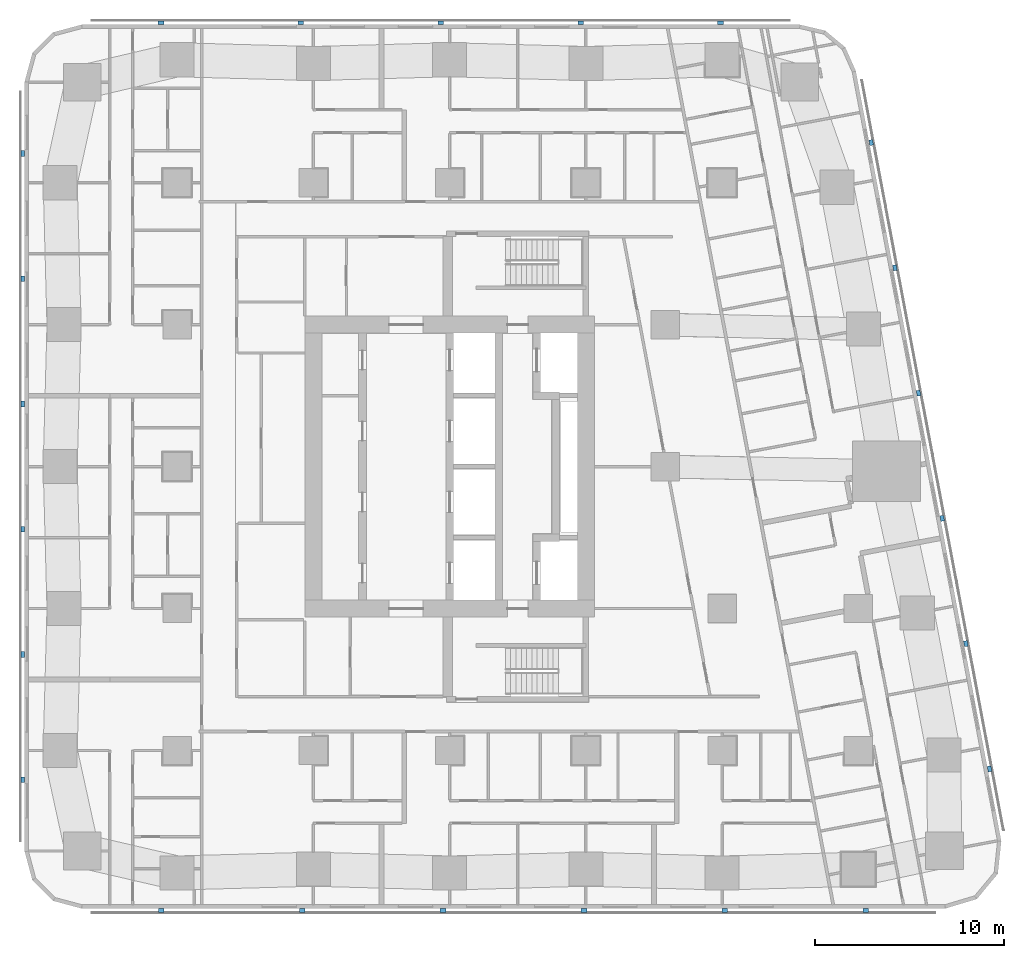
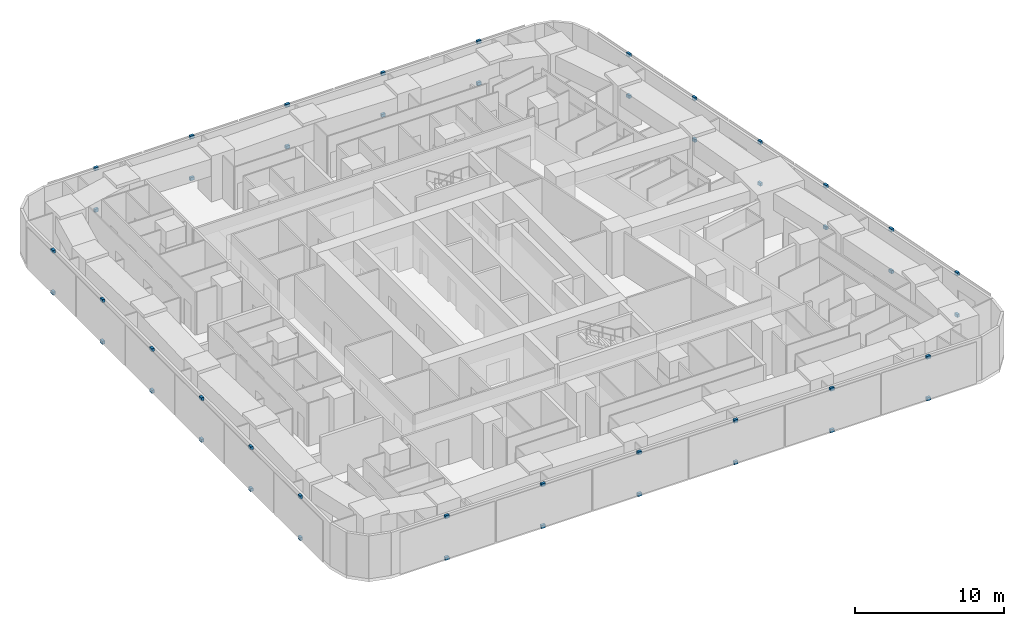
# One storey, part 12 of 15: 46 discrete accessories.
"""IFC4 building model written with IfcOpenShell, lengths in metres."""

from ifc_helpers import new_model, si_unit, direction, frame, origin, origin_2d, place, context, subcontext, project, spatial, rectangle, extrude, material, type_object, element, save


model = new_model("IFC4")

# Units and contexts
model_context = context("Model", 3, precision=1e-05, world=origin(), true_north=direction((0.0, 1.0)))
body_context = subcontext(model_context, "Body", "Model", "MODEL_VIEW")
ifc_project = project(units=[si_unit("LENGTHUNIT", "METRE"), si_unit("AREAUNIT", "SQUARE_METRE"), si_unit("VOLUMEUNIT", "CUBIC_METRE"), si_unit("PLANEANGLEUNIT", "RADIAN"), si_unit("MASSUNIT", "GRAM", prefix="KILO")], contexts=[model_context])

# Site, building, storey
site_placement = place(None, origin())
site = spatial("IfcSite", under=ifc_project, at=site_placement, CompositionType="ELEMENT")
building_placement = place(site_placement, origin())
building = spatial("IfcBuilding", under=site, at=building_placement, Name="Sheger Commons Tower", CompositionType="ELEMENT")
storey_placement = place(building_placement, frame((0.0, 0.0, 165.800048828125)))
storey = spatial("IfcBuildingStorey", under=building, at=storey_placement, Name="L42", CompositionType="ELEMENT", Elevation=165.800048828125)

# Discrete accessories
ifc_material = material(Name="Black painted steel bracket", Category="steel")
discrete_accessory_type = type_object("IfcDiscreteAccessoryType", Name="SCREEN BRACKET 300x200x250", PredefinedType="BRACKET", material=ifc_material)
for number, where, z_axis, x_axis, name in (
    (1, (6.37109375, -0.949951171875, -0.10009765625), (0.0, 0.0, 1.0), (1.0, 0.0, 0.0), "Solar screen foot bracket"),
    (2, (6.37109375, -0.949951171875, 3.300048828125), (0.0, 0.0, 1.0), (1.0, 0.0, 0.0), "Solar screen head bracket"),
    (3, (13.81396484375, -0.949951171875, -0.10009765625), (0.0, 0.0, 1.0), (1.0, 0.0, 0.0), "Solar screen foot bracket"),
    (4, (13.81396484375, -0.949951171875, 3.300048828125), (0.0, 0.0, 1.0), (1.0, 0.0, 0.0), "Solar screen head bracket"),
    (5, (21.257080078125, -0.949951171875, -0.10009765625), (0.0, 0.0, 1.0), (1.0, 0.0, 0.0), "Solar screen foot bracket"),
    (6, (21.257080078125, -0.949951171875, 3.300048828125), (0.0, 0.0, 1.0), (1.0, 0.0, 0.0), "Solar screen head bracket"),
    (7, (28.698974609375, -0.949951171875, -0.10009765625), (0.0, 0.0, 1.0), (1.0, 0.0, 0.0), "Solar screen foot bracket"),
    (8, (28.698974609375, -0.949951171875, 3.300048828125), (0.0, 0.0, 1.0), (1.0, 0.0, 0.0), "Solar screen head bracket"),
    (9, (36.14208984375, -0.949951171875, -0.10009765625), (0.0, 0.0, 1.0), (1.0, 0.0, 0.0), "Solar screen foot bracket"),
    (10, (36.14208984375, -0.949951171875, 3.300048828125), (0.0, 0.0, 1.0), (1.0, 0.0, 0.0), "Solar screen head bracket"),
    (11, (43.5849609375, -0.949951171875, -0.10009765625), (0.0, 0.0, 1.0), (1.0, 0.0, 0.0), "Solar screen foot bracket"),
    (12, (43.5849609375, -0.949951171875, 3.300048828125), (0.0, 0.0, 1.0), (1.0, 0.0, 0.0), "Solar screen head bracket"),
    (13, (50.134033203125, 6.527099609375, -0.10009765625), (0.0, 0.0, 1.0), (-0.185615165645, 0.982622516678, 0.0), "Solar screen foot bracket"),
    (14, (50.134033203125, 6.527099609375, 3.300048828125), (0.0, 0.0, 1.0), (-0.185615165645, 0.982622516678, 0.0), "Solar screen head bracket"),
    (15, (48.884033203125, 13.14599609375, -0.10009765625), (0.0, 0.0, 1.0), (-0.185615165645, 0.982622516678, 0.0), "Solar screen foot bracket"),
    (16, (48.884033203125, 13.14599609375, 3.300048828125), (0.0, 0.0, 1.0), (-0.185615165645, 0.982622516678, 0.0), "Solar screen head bracket"),
    (17, (47.633056640625, 19.76611328125, -0.10009765625), (0.0, 0.0, 1.0), (-0.185615165645, 0.982622516678, 0.0), "Solar screen foot bracket"),
    (18, (47.633056640625, 19.76611328125, 3.300048828125), (0.0, 0.0, 1.0), (-0.185615165645, 0.982622516678, 0.0), "Solar screen head bracket"),
    (19, (46.383056640625, 26.385009765625, -0.10009765625), (0.0, 0.0, 1.0), (-0.185615165645, 0.982622516678, 0.0), "Solar screen foot bracket"),
    (20, (46.383056640625, 26.385009765625, 3.300048828125), (0.0, 0.0, 1.0), (-0.185615165645, 0.982622516678, 0.0), "Solar screen head bracket"),
    (21, (45.133056640625, 33.0048828125, -0.10009765625), (0.0, 0.0, 1.0), (-0.185615165645, 0.982622516678, 0.0), "Solar screen foot bracket"),
    (22, (45.133056640625, 33.0048828125, 3.300048828125), (0.0, 0.0, 1.0), (-0.185615165645, 0.982622516678, 0.0), "Solar screen head bracket"),
    (23, (43.882080078125, 39.6240234375, -0.10009765625), (0.0, 0.0, 1.0), (-0.185615165645, 0.982622516678, 0.0), "Solar screen foot bracket"),
    (24, (43.882080078125, 39.6240234375, 3.300048828125), (0.0, 0.0, 1.0), (-0.185615165645, 0.982622516678, 0.0), "Solar screen head bracket"),
    (25, (35.9208984375, 45.949951171875, -0.10009765625), (0.0, 0.0, 1.0), (-1.0, 0.0, 0.0), "Solar screen foot bracket"),
    (26, (35.9208984375, 45.949951171875, 3.300048828125), (0.0, 0.0, 1.0), (-1.0, 0.0, 0.0), "Solar screen head bracket"),
    (27, (28.528076171875, 45.949951171875, -0.10009765625), (0.0, 0.0, 1.0), (-1.0, 0.0, 0.0), "Solar screen foot bracket"),
    (28, (28.528076171875, 45.949951171875, 3.300048828125), (0.0, 0.0, 1.0), (-1.0, 0.0, 0.0), "Solar screen head bracket"),
    (29, (21.134033203125, 45.949951171875, -0.10009765625), (0.0, 0.0, 1.0), (-1.0, 0.0, 0.0), "Solar screen foot bracket"),
    (30, (21.134033203125, 45.949951171875, 3.300048828125), (0.0, 0.0, 1.0), (-1.0, 0.0, 0.0), "Solar screen head bracket"),
    (31, (13.739990234375, 45.949951171875, -0.10009765625), (0.0, 0.0, 1.0), (-1.0, 0.0, 0.0), "Solar screen foot bracket"),
    (32, (13.739990234375, 45.949951171875, 3.300048828125), (0.0, 0.0, 1.0), (-1.0, 0.0, 0.0), "Solar screen head bracket"),
    (33, (6.346923828125, 45.949951171875, -0.10009765625), (0.0, 0.0, 1.0), (-1.0, 0.0, 0.0), "Solar screen foot bracket"),
    (34, (6.346923828125, 45.949951171875, 3.300048828125), (0.0, 0.0, 1.0), (-1.0, 0.0, 0.0), "Solar screen head bracket"),
    (35, (-0.949951171875, 39.0419921875, -0.10009765625), (0.0, 0.0, 1.0), (0.0, -1.0, 0.0), "Solar screen foot bracket"),
    (36, (-0.949951171875, 39.0419921875, 3.300048828125), (0.0, 0.0, 1.0), (0.0, -1.0, 0.0), "Solar screen head bracket"),
    (37, (-0.949951171875, 32.425048828125, -0.10009765625), (0.0, 0.0, 1.0), (0.0, -1.0, 0.0), "Solar screen foot bracket"),
    (38, (-0.949951171875, 32.425048828125, 3.300048828125), (0.0, 0.0, 1.0), (0.0, -1.0, 0.0), "Solar screen head bracket"),
    (39, (-0.949951171875, 25.80810546875, -0.10009765625), (0.0, 0.0, 1.0), (0.0, -1.0, 0.0), "Solar screen foot bracket"),
    (40, (-0.949951171875, 25.80810546875, 3.300048828125), (0.0, 0.0, 1.0), (0.0, -1.0, 0.0), "Solar screen head bracket"),
    (41, (-0.949951171875, 19.19189453125, -0.10009765625), (0.0, 0.0, 1.0), (0.0, -1.0, 0.0), "Solar screen foot bracket"),
    (42, (-0.949951171875, 19.19189453125, 3.300048828125), (0.0, 0.0, 1.0), (0.0, -1.0, 0.0), "Solar screen head bracket"),
    (43, (-0.949951171875, 12.574951171875, -0.10009765625), (0.0, 0.0, 1.0), (0.0, -1.0, 0.0), "Solar screen foot bracket"),
    (44, (-0.949951171875, 12.574951171875, 3.300048828125), (0.0, 0.0, 1.0), (0.0, -1.0, 0.0), "Solar screen head bracket"),
    (45, (-0.949951171875, 5.9580078125, -0.10009765625), (0.0, 0.0, 1.0), (0.0, -1.0, 0.0), "Solar screen foot bracket"),
    (46, (-0.949951171875, 5.9580078125, 3.300048828125), (0.0, 0.0, 1.0), (0.0, -1.0, 0.0), "Solar screen head bracket"),
):
    element("IfcDiscreteAccessory", number, at=place(storey_placement, frame(where, z_axis=z_axis, x_axis=x_axis)), inside=storey, type_object=discrete_accessory_type, Name=name, PredefinedType="BRACKET", context=body_context, shape_type="SweptSolid", body=[
        extrude(rectangle(XDim=0.300048828125, YDim=0.199951171875, at=origin_2d()), origin(), (0.0, 0.0, 1.0), 0.25),
    ])

save(model, "model.ifc")
